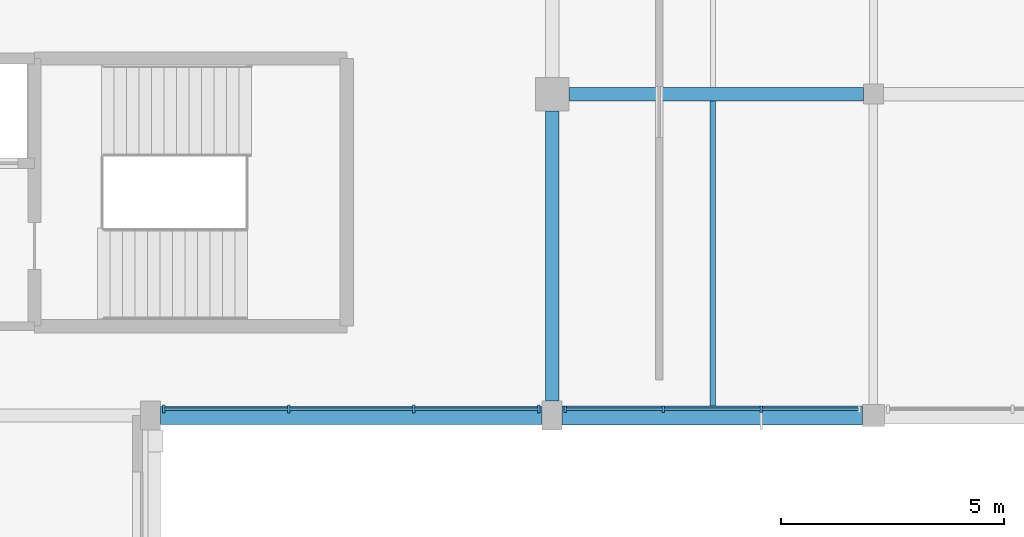
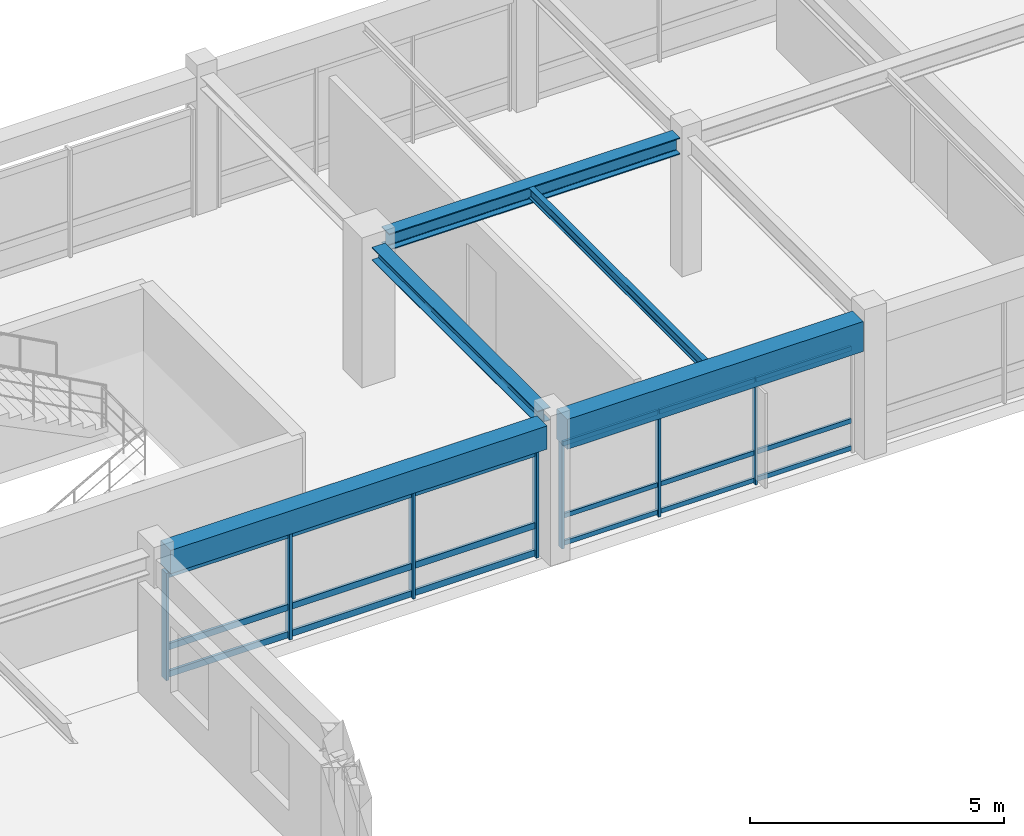
# One storey, part 23 of 74: 25 members, 5 beams, 2 elements without a shape of their own.
"""IFC4 building model written with IfcOpenShell, lengths in metres."""

from ifc_helpers import new_model, si_unit, direction, frame, origin, origin_2d, place, context, subcontext, project, spatial, rectangle, i_section, extrude, material, material_profile, profile_set, type_object, element, aggregate, save


model = new_model("IFC4")

# Units and contexts
model_context = context("Model", 3, precision=1e-05, world=origin(), true_north=direction((0.0, 1.0)))
body_context = subcontext(model_context, "Body", "Model", "MODEL_VIEW")
ifc_project = project(units=[si_unit("LENGTHUNIT", "METRE"), si_unit("AREAUNIT", "SQUARE_METRE"), si_unit("VOLUMEUNIT", "CUBIC_METRE"), si_unit("PLANEANGLEUNIT", "RADIAN"), si_unit("MASSUNIT", "GRAM", prefix="KILO")], contexts=[model_context])

# Site, building, storey
site_placement = place(None, origin())
site = spatial("IfcSite", under=ifc_project, at=site_placement, CompositionType="ELEMENT")
building_placement = place(site_placement, origin())
building = spatial("IfcBuilding", under=site, at=building_placement, Name="Clarverna Civic Hall", CompositionType="ELEMENT")
storey_placement = place(building_placement, frame((0.0, 0.0, 13.199951171875)))
storey = spatial("IfcBuildingStorey", under=building, at=storey_placement, Name="L03", CompositionType="ELEMENT", Elevation=13.199951171875)

# Beams
ifc_material_1 = material(Name="Concrete C35/45", Category="concrete")
ifc_material_profile_1 = material_profile(ifc_material_1, rectangle(XDim=0.419921875, YDim=0.719970703125, at=origin_2d()), Name="RC 420x720")
ifc_profile_set_1 = profile_set([ifc_material_profile_1], Name="Concrete C35/45")
beam_type_1 = type_object("IfcBeamType", Name="B-SP1", PredefinedType="SPANDREL", material=ifc_profile_set_1)
beam_1_placement = place(storey_placement, frame((25.425048828125, 102.199951171875, 2.93994140625), z_axis=(1.0, 0.0, 0.0), x_axis=(0.0, 1.0, 0.0)))
element("IfcBeam", 1, at=beam_1_placement, inside=storey, type_object=beam_type_1, Name="B-SP1-112", PredefinedType="SPANDREL", context=body_context, shape_type="SweptSolid", body=[
    extrude(rectangle(XDim=0.419921875, YDim=0.719970703125, at=origin_2d()), origin(), (0.0, 0.0, 1.0), 6.724853515625),
])
ifc_material_profile_2 = material_profile(ifc_material_1, rectangle(XDim=0.39990234375, YDim=0.56005859375, at=origin_2d()), Name="RC 400x560")
ifc_profile_set_2 = profile_set([ifc_material_profile_2], Name="Concrete C35/45")
beam_type_2 = type_object("IfcBeamType", Name="B-SP4", PredefinedType="SPANDREL", material=ifc_profile_set_2)
beam_2_placement = place(storey_placement, frame((16.425048828125, 102.199951171875, 3.02001953125), z_axis=(1.0, 0.0, 0.0), x_axis=(0.0, 1.0, 0.0)))
element("IfcBeam", 2, at=beam_2_placement, inside=storey, type_object=beam_type_2, Name="B-SP4-114", PredefinedType="SPANDREL", context=body_context, shape_type="SweptSolid", body=[
    extrude(rectangle(XDim=0.39990234375, YDim=0.56005859375, at=origin_2d()), origin(), (0.0, 0.0, 1.0), 8.550048828125),
])
ifc_material_2 = material(Name="Steel S355", Category="steel")
ifc_material_profile_3 = material_profile(ifc_material_2, i_section(OverallWidth=0.300048828125, OverallDepth=0.39990234375, WebThickness=0.013427734375, FlangeThickness=0.02392578125, FilletRadius=0.027099609375, at=origin_2d()), Name="HEB 400")
ifc_profile_set_3 = profile_set([ifc_material_profile_3], Name="Steel S355")
beam_type_3 = type_object("IfcBeamType", Name="B-ST4", PredefinedType="BEAM", material=ifc_profile_set_3)
beam_3_placement = place(storey_placement, frame((25.574951171875, 109.39990234375, 3.10009765625), z_axis=(1.0, 0.0, 0.0), x_axis=(0.0, 1.0, 0.0)))
element("IfcBeam", 3, at=beam_3_placement, inside=storey, type_object=beam_type_3, Name="B-ST4-011", PredefinedType="BEAM", context=body_context, shape_type="SweptSolid", body=[
    extrude(i_section(OverallWidth=0.300048828125, OverallDepth=0.39990234375, WebThickness=0.013427734375, FlangeThickness=0.02392578125, FilletRadius=0.027099609375, at=origin_2d()), origin(), (0.0, 0.0, 1.0), 6.60009765625),
])
ifc_material_profile_4 = material_profile(ifc_material_2, i_section(OverallWidth=0.300048828125, OverallDepth=0.31005859375, WebThickness=0.009033203125, FlangeThickness=0.015380859375, FilletRadius=0.027099609375, at=origin_2d()), Name="HEA 320")
ifc_profile_set_4 = profile_set([ifc_material_profile_4], Name="Steel S355")
beam_type_4 = type_object("IfcBeamType", Name="B-ST9", PredefinedType="BEAM", material=ifc_profile_set_4)
beam_4_placement = place(storey_placement, frame((25.199951171875, 102.52490234375, 3.14501953125), z_axis=(0.0, 1.0, 0.0), x_axis=(-1.0, 0.0, 0.0)))
element("IfcBeam", 4, at=beam_4_placement, inside=storey, type_object=beam_type_4, Name="B-ST9-089", PredefinedType="BEAM", context=body_context, shape_type="SweptSolid", body=[
    extrude(i_section(OverallWidth=0.300048828125, OverallDepth=0.31005859375, WebThickness=0.009033203125, FlangeThickness=0.015380859375, FilletRadius=0.027099609375, at=origin_2d()), origin(), (0.0, 0.0, 1.0), 6.5),
])

# Curtain wall, members
ifc_material_3 = material(Name="Anodised Bronze Architectural Aluminium", Category="aluminium")
curtain_wall_type = type_object("IfcCurtainWallType", Name="CW-05", PredefinedType="USERDEFINED", material=ifc_material_3)
curtain_wall_1_placement = place(storey_placement, origin())
curtain_wall_1 = element("IfcCurtainWall", 5, at=curtain_wall_1_placement, inside=storey, type_object=curtain_wall_type, Name="CW-05-013", ObjectType="UNITISED CURTAIN WALL", PredefinedType="USERDEFINED")
ifc_material_profile_5 = material_profile(ifc_material_3, rectangle(XDim=0.06005859375, YDim=0.179931640625, at=origin_2d()), Name="BRONZE 60x180")
ifc_profile_set_5 = profile_set([ifc_material_profile_5], Name="Anodised Bronze Architectural Aluminium")
member_type_1 = type_object("IfcMemberType", Name="CWM-01", PredefinedType="MULLION", material=ifc_profile_set_5)
member_1_placement = place(storey_placement, frame((24.902099609375, 102.340087890625, 0.0), z_axis=(0.0, 0.0, 1.0), x_axis=(1.0, 0.0, 0.0)))
member_1 = element("IfcMember", 6, at=member_1_placement, type_object=member_type_1, Name="CWM-01-140", PredefinedType="MULLION", context=body_context, shape_type="SweptSolid", body=[
    extrude(rectangle(XDim=0.06005859375, YDim=0.179931640625, at=origin_2d()), origin(), (0.0, 0.0, 1.0), 2.580078125),
])
member_2_placement = place(storey_placement, frame((22.1005859375, 102.340087890625, 0.0), z_axis=(0.0, 0.0, 1.0), x_axis=(1.0, 0.0, 0.0)))
member_2 = element("IfcMember", 7, at=member_2_placement, type_object=member_type_1, Name="CWM-01-141", PredefinedType="MULLION", context=body_context, shape_type="SweptSolid", body=[
    extrude(rectangle(XDim=0.06005859375, YDim=0.179931640625, at=origin_2d()), origin(), (0.0, 0.0, 1.0), 2.580078125),
])
member_3_placement = place(storey_placement, frame((19.29931640625, 102.340087890625, 0.0), z_axis=(0.0, 0.0, 1.0), x_axis=(1.0, 0.0, 0.0)))
member_3 = element("IfcMember", 8, at=member_3_placement, type_object=member_type_1, Name="CWM-01-142", PredefinedType="MULLION", context=body_context, shape_type="SweptSolid", body=[
    extrude(rectangle(XDim=0.06005859375, YDim=0.179931640625, at=origin_2d()), origin(), (0.0, 0.0, 1.0), 2.580078125),
])
member_4_placement = place(storey_placement, frame((16.498046875, 102.340087890625, 0.0), z_axis=(0.0, 0.0, 1.0), x_axis=(1.0, 0.0, 0.0)))
member_4 = element("IfcMember", 9, at=member_4_placement, type_object=member_type_1, Name="CWM-01-143", PredefinedType="MULLION", context=body_context, shape_type="SweptSolid", body=[
    extrude(rectangle(XDim=0.06005859375, YDim=0.179931640625, at=origin_2d()), origin(), (0.0, 0.0, 1.0), 2.580078125),
])

curtain_wall_2_placement = place(storey_placement, origin())
curtain_wall_2 = element("IfcCurtainWall", 10, at=curtain_wall_2_placement, inside=storey, type_object=curtain_wall_type, Name="CW-05-012", ObjectType="UNITISED CURTAIN WALL", PredefinedType="USERDEFINED")
ifc_material_profile_6 = material_profile(ifc_material_3, rectangle(XDim=0.054931640625, YDim=0.139892578125, at=origin_2d()), Name="BRONZE 55x140")
ifc_profile_set_6 = profile_set([ifc_material_profile_6], Name="Anodised Bronze Architectural Aluminium")
member_type_2 = type_object("IfcMemberType", Name="CWM-04", PredefinedType="MULLION", material=ifc_profile_set_6)
member_5_placement = place(storey_placement, frame((29.884033203125, 102.340087890625, 0.0), z_axis=(0.0, 0.0, 1.0), x_axis=(1.0, 0.0, 0.0)))
member_5 = element("IfcMember", 11, at=member_5_placement, type_object=member_type_2, Name="CWM-04-181", PredefinedType="MULLION", context=body_context, shape_type="SweptSolid", body=[
    extrude(rectangle(XDim=0.054931640625, YDim=0.139892578125, at=origin_2d()), origin(), (0.0, 0.0, 1.0), 2.580078125),
])
member_6_placement = place(storey_placement, frame((27.69091796875, 102.340087890625, 0.0), z_axis=(0.0, 0.0, 1.0), x_axis=(1.0, 0.0, 0.0)))
member_6 = element("IfcMember", 12, at=member_6_placement, type_object=member_type_2, Name="CWM-04-182", PredefinedType="MULLION", context=body_context, shape_type="SweptSolid", body=[
    extrude(rectangle(XDim=0.054931640625, YDim=0.139892578125, at=origin_2d()), origin(), (0.0, 0.0, 1.0), 2.580078125),
])
member_7_placement = place(storey_placement, frame((25.498046875, 102.340087890625, 0.0), z_axis=(0.0, 0.0, 1.0), x_axis=(1.0, 0.0, 0.0)))
member_7 = element("IfcMember", 13, at=member_7_placement, type_object=member_type_2, Name="CWM-04-183", PredefinedType="MULLION", context=body_context, shape_type="SweptSolid", body=[
    extrude(rectangle(XDim=0.054931640625, YDim=0.139892578125, at=origin_2d()), origin(), (0.0, 0.0, 1.0), 2.580078125),
])

# Member
ifc_material_profile_7 = material_profile(ifc_material_3, rectangle(XDim=0.06005859375, YDim=0.14990234375, at=origin_2d()), Name="BRONZE 60x150")
ifc_profile_set_7 = profile_set([ifc_material_profile_7], Name="Anodised Bronze Architectural Aluminium")
member_type_3 = type_object("IfcMemberType", Name="CWT-01", PredefinedType="USERDEFINED", material=ifc_profile_set_7)
member_8_placement = place(storey_placement, frame((24.886962890625, 102.340087890625, 0.094970703125), z_axis=(-1.0, 0.0, 0.0), x_axis=(0.0, -1.0, 0.0)))
member_8 = element("IfcMember", 14, at=member_8_placement, type_object=member_type_3, Name="CWT-01-298", ObjectType="TRANSOM", PredefinedType="USERDEFINED", context=body_context, shape_type="SweptSolid", body=[
    extrude(rectangle(XDim=0.06005859375, YDim=0.14990234375, at=origin_2d()), origin(), (0.0, 0.0, 1.0), 2.771240234375),
])

member_9_placement = place(storey_placement, frame((24.886962890625, 102.340087890625, 0.75), z_axis=(-1.0, 0.0, 0.0), x_axis=(0.0, -1.0, 0.0)))
member_9 = element("IfcMember", 15, at=member_9_placement, type_object=member_type_3, Name="CWT-01-299", ObjectType="TRANSOM", PredefinedType="USERDEFINED", context=body_context, shape_type="SweptSolid", body=[
    extrude(rectangle(XDim=0.06005859375, YDim=0.14990234375, at=origin_2d()), origin(), (0.0, 0.0, 1.0), 2.771240234375),
])

member_10_placement = place(storey_placement, frame((24.886962890625, 102.340087890625, 2.485107421875), z_axis=(-1.0, 0.0, 0.0), x_axis=(0.0, -1.0, 0.0)))
member_10 = element("IfcMember", 16, at=member_10_placement, type_object=member_type_3, Name="CWT-01-300", ObjectType="TRANSOM", PredefinedType="USERDEFINED", context=body_context, shape_type="SweptSolid", body=[
    extrude(rectangle(XDim=0.06005859375, YDim=0.14990234375, at=origin_2d()), origin(), (0.0, 0.0, 1.0), 2.771240234375),
])

member_11_placement = place(storey_placement, frame((22.085693359375, 102.340087890625, 0.094970703125), z_axis=(-1.0, 0.0, 0.0), x_axis=(0.0, -1.0, 0.0)))
member_11 = element("IfcMember", 17, at=member_11_placement, type_object=member_type_3, Name="CWT-01-301", ObjectType="TRANSOM", PredefinedType="USERDEFINED", context=body_context, shape_type="SweptSolid", body=[
    extrude(rectangle(XDim=0.06005859375, YDim=0.14990234375, at=origin_2d()), origin(), (0.0, 0.0, 1.0), 2.771484375),
])

member_12_placement = place(storey_placement, frame((22.085693359375, 102.340087890625, 0.75), z_axis=(-1.0, 0.0, 0.0), x_axis=(0.0, -1.0, 0.0)))
member_12 = element("IfcMember", 18, at=member_12_placement, type_object=member_type_3, Name="CWT-01-302", ObjectType="TRANSOM", PredefinedType="USERDEFINED", context=body_context, shape_type="SweptSolid", body=[
    extrude(rectangle(XDim=0.06005859375, YDim=0.14990234375, at=origin_2d()), origin(), (0.0, 0.0, 1.0), 2.771484375),
])

member_13_placement = place(storey_placement, frame((22.085693359375, 102.340087890625, 2.485107421875), z_axis=(-1.0, 0.0, 0.0), x_axis=(0.0, -1.0, 0.0)))
member_13 = element("IfcMember", 19, at=member_13_placement, type_object=member_type_3, Name="CWT-01-303", ObjectType="TRANSOM", PredefinedType="USERDEFINED", context=body_context, shape_type="SweptSolid", body=[
    extrude(rectangle(XDim=0.06005859375, YDim=0.14990234375, at=origin_2d()), origin(), (0.0, 0.0, 1.0), 2.771484375),
])

member_14_placement = place(storey_placement, frame((19.2841796875, 102.340087890625, 0.094970703125), z_axis=(-1.0, 0.0, 0.0), x_axis=(0.0, -1.0, 0.0)))
member_14 = element("IfcMember", 20, at=member_14_placement, type_object=member_type_3, Name="CWT-01-304", ObjectType="TRANSOM", PredefinedType="USERDEFINED", context=body_context, shape_type="SweptSolid", body=[
    extrude(rectangle(XDim=0.06005859375, YDim=0.14990234375, at=origin_2d()), origin(), (0.0, 0.0, 1.0), 2.771240234375),
])

member_15_placement = place(storey_placement, frame((19.2841796875, 102.340087890625, 0.75), z_axis=(-1.0, 0.0, 0.0), x_axis=(0.0, -1.0, 0.0)))
member_15 = element("IfcMember", 21, at=member_15_placement, type_object=member_type_3, Name="CWT-01-305", ObjectType="TRANSOM", PredefinedType="USERDEFINED", context=body_context, shape_type="SweptSolid", body=[
    extrude(rectangle(XDim=0.06005859375, YDim=0.14990234375, at=origin_2d()), origin(), (0.0, 0.0, 1.0), 2.771240234375),
])

member_16_placement = place(storey_placement, frame((19.2841796875, 102.340087890625, 2.485107421875), z_axis=(-1.0, 0.0, 0.0), x_axis=(0.0, -1.0, 0.0)))
member_16 = element("IfcMember", 22, at=member_16_placement, type_object=member_type_3, Name="CWT-01-306", ObjectType="TRANSOM", PredefinedType="USERDEFINED", context=body_context, shape_type="SweptSolid", body=[
    extrude(rectangle(XDim=0.06005859375, YDim=0.14990234375, at=origin_2d()), origin(), (0.0, 0.0, 1.0), 2.771240234375),
])

aggregate(curtain_wall_1, [member_1, member_2, member_3, member_4, member_8, member_9, member_10, member_11, member_12, member_13, member_14, member_15, member_16])

ifc_material_profile_8 = material_profile(ifc_material_3, rectangle(XDim=0.054931640625, YDim=0.110107421875, at=origin_2d()), Name="BRONZE 55x110")
ifc_profile_set_8 = profile_set([ifc_material_profile_8], Name="Anodised Bronze Architectural Aluminium")
member_type_4 = type_object("IfcMemberType", Name="CWT-04", PredefinedType="USERDEFINED", material=ifc_profile_set_8)
member_17_placement = place(storey_placement, frame((32.06201171875, 102.340087890625, 0.094970703125), z_axis=(-1.0, 0.0, 0.0), x_axis=(0.0, -1.0, 0.0)))
member_17 = element("IfcMember", 23, at=member_17_placement, type_object=member_type_4, Name="CWT-04-379", ObjectType="TRANSOM", PredefinedType="USERDEFINED", context=body_context, shape_type="SweptSolid", body=[
    extrude(rectangle(XDim=0.054931640625, YDim=0.110107421875, at=origin_2d()), origin(), (0.0, 0.0, 1.0), 2.1630859375),
])

member_18_placement = place(storey_placement, frame((32.06201171875, 102.340087890625, 0.75), z_axis=(-1.0, 0.0, 0.0), x_axis=(0.0, -1.0, 0.0)))
member_18 = element("IfcMember", 24, at=member_18_placement, type_object=member_type_4, Name="CWT-04-380", ObjectType="TRANSOM", PredefinedType="USERDEFINED", context=body_context, shape_type="SweptSolid", body=[
    extrude(rectangle(XDim=0.054931640625, YDim=0.110107421875, at=origin_2d()), origin(), (0.0, 0.0, 1.0), 2.1630859375),
])

member_19_placement = place(storey_placement, frame((32.06201171875, 102.340087890625, 2.485107421875), z_axis=(-1.0, 0.0, 0.0), x_axis=(0.0, -1.0, 0.0)))
member_19 = element("IfcMember", 25, at=member_19_placement, type_object=member_type_4, Name="CWT-04-381", ObjectType="TRANSOM", PredefinedType="USERDEFINED", context=body_context, shape_type="SweptSolid", body=[
    extrude(rectangle(XDim=0.054931640625, YDim=0.110107421875, at=origin_2d()), origin(), (0.0, 0.0, 1.0), 2.1630859375),
])

member_20_placement = place(storey_placement, frame((29.868896484375, 102.340087890625, 0.094970703125), z_axis=(-1.0, 0.0, 0.0), x_axis=(0.0, -1.0, 0.0)))
member_20 = element("IfcMember", 26, at=member_20_placement, type_object=member_type_4, Name="CWT-04-382", ObjectType="TRANSOM", PredefinedType="USERDEFINED", context=body_context, shape_type="SweptSolid", body=[
    extrude(rectangle(XDim=0.054931640625, YDim=0.110107421875, at=origin_2d()), origin(), (0.0, 0.0, 1.0), 2.162841796875),
])

member_21_placement = place(storey_placement, frame((29.868896484375, 102.340087890625, 0.75), z_axis=(-1.0, 0.0, 0.0), x_axis=(0.0, -1.0, 0.0)))
member_21 = element("IfcMember", 27, at=member_21_placement, type_object=member_type_4, Name="CWT-04-383", ObjectType="TRANSOM", PredefinedType="USERDEFINED", context=body_context, shape_type="SweptSolid", body=[
    extrude(rectangle(XDim=0.054931640625, YDim=0.110107421875, at=origin_2d()), origin(), (0.0, 0.0, 1.0), 2.162841796875),
])

member_22_placement = place(storey_placement, frame((29.868896484375, 102.340087890625, 2.485107421875), z_axis=(-1.0, 0.0, 0.0), x_axis=(0.0, -1.0, 0.0)))
member_22 = element("IfcMember", 28, at=member_22_placement, type_object=member_type_4, Name="CWT-04-384", ObjectType="TRANSOM", PredefinedType="USERDEFINED", context=body_context, shape_type="SweptSolid", body=[
    extrude(rectangle(XDim=0.054931640625, YDim=0.110107421875, at=origin_2d()), origin(), (0.0, 0.0, 1.0), 2.162841796875),
])

member_23_placement = place(storey_placement, frame((27.676025390625, 102.340087890625, 0.094970703125), z_axis=(-1.0, 0.0, 0.0), x_axis=(0.0, -1.0, 0.0)))
member_23 = element("IfcMember", 29, at=member_23_placement, type_object=member_type_4, Name="CWT-04-385", ObjectType="TRANSOM", PredefinedType="USERDEFINED", context=body_context, shape_type="SweptSolid", body=[
    extrude(rectangle(XDim=0.054931640625, YDim=0.110107421875, at=origin_2d()), origin(), (0.0, 0.0, 1.0), 2.1630859375),
])

member_24_placement = place(storey_placement, frame((27.676025390625, 102.340087890625, 0.75), z_axis=(-1.0, 0.0, 0.0), x_axis=(0.0, -1.0, 0.0)))
member_24 = element("IfcMember", 30, at=member_24_placement, type_object=member_type_4, Name="CWT-04-386", ObjectType="TRANSOM", PredefinedType="USERDEFINED", context=body_context, shape_type="SweptSolid", body=[
    extrude(rectangle(XDim=0.054931640625, YDim=0.110107421875, at=origin_2d()), origin(), (0.0, 0.0, 1.0), 2.1630859375),
])

member_25_placement = place(storey_placement, frame((27.676025390625, 102.340087890625, 2.485107421875), z_axis=(-1.0, 0.0, 0.0), x_axis=(0.0, -1.0, 0.0)))
member_25 = element("IfcMember", 31, at=member_25_placement, type_object=member_type_4, Name="CWT-04-387", ObjectType="TRANSOM", PredefinedType="USERDEFINED", context=body_context, shape_type="SweptSolid", body=[
    extrude(rectangle(XDim=0.054931640625, YDim=0.110107421875, at=origin_2d()), origin(), (0.0, 0.0, 1.0), 2.1630859375),
])

aggregate(curtain_wall_2, [member_5, member_6, member_7, member_17, member_18, member_19, member_20, member_21, member_22, member_23, member_24, member_25])

# Beam
ifc_material_profile_9 = material_profile(ifc_material_2, i_section(OverallWidth=0.1201171875, OverallDepth=0.239990234375, WebThickness=0.006103515625, FlangeThickness=0.009765625, FilletRadius=0.014892578125, at=origin_2d()), Name="IPE 240")
ifc_profile_set_9 = profile_set([ifc_material_profile_9], Name="Steel S355")
beam_type_5 = type_object("IfcBeamType", Name="J-ST5", PredefinedType="JOIST", material=ifc_profile_set_9)
beam_5_placement = place(storey_placement, frame((28.800048828125, 102.409912109375, 3.179931640625), z_axis=(0.0, 1.0, 0.0), x_axis=(-1.0, 0.0, 0.0)))
element("IfcBeam", 32, at=beam_5_placement, inside=storey, type_object=beam_type_5, Name="J-ST5-064", PredefinedType="JOIST", context=body_context, shape_type="SweptSolid", body=[
    extrude(i_section(OverallWidth=0.1201171875, OverallDepth=0.239990234375, WebThickness=0.006103515625, FlangeThickness=0.009765625, FilletRadius=0.014892578125, at=origin_2d()), origin(), (0.0, 0.0, 1.0), 6.840087890625),
])

save(model, "model.ifc")
